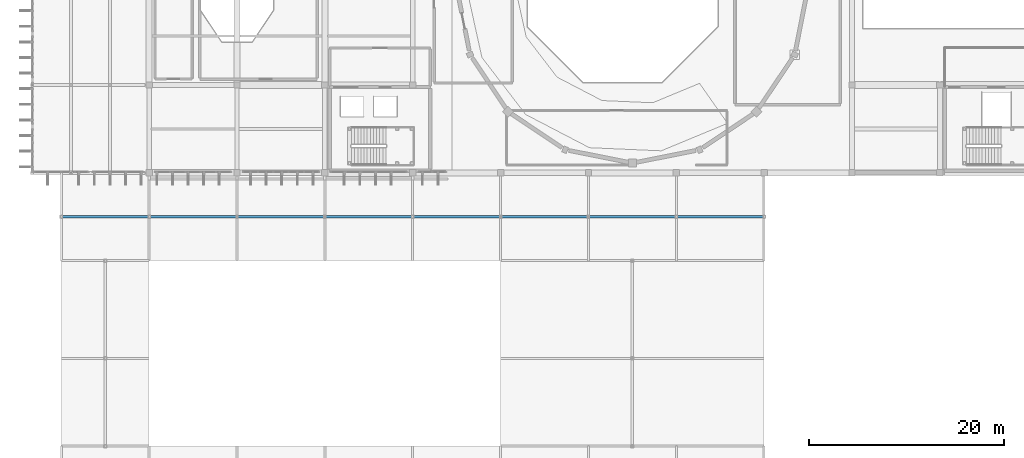
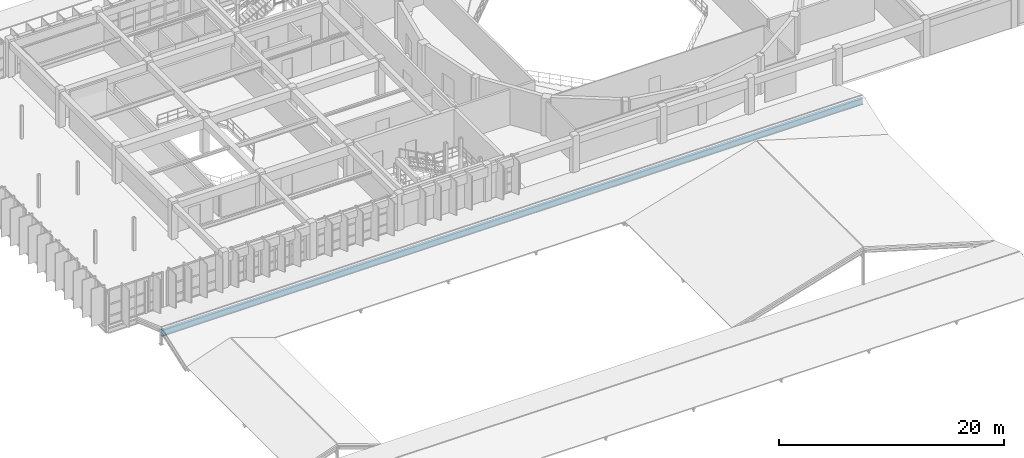
# One storey, part 12 of 80: 1 beam.
"""IFC4 building model written with IfcOpenShell, lengths in metres."""

from ifc_helpers import new_model, si_unit, direction, frame, origin, origin_2d, place, context, subcontext, project, spatial, i_section, extrude, material, material_profile, profile_set, type_object, element, save


model = new_model("IFC4")

# Units and contexts
model_context = context("Model", 3, precision=1e-05, world=origin(), true_north=direction((0.0, 1.0)))
body_context = subcontext(model_context, "Body", "Model", "MODEL_VIEW")
ifc_project = project(units=[si_unit("LENGTHUNIT", "METRE"), si_unit("AREAUNIT", "SQUARE_METRE"), si_unit("VOLUMEUNIT", "CUBIC_METRE"), si_unit("PLANEANGLEUNIT", "RADIAN"), si_unit("MASSUNIT", "GRAM", prefix="KILO")], contexts=[model_context])

# Site, building, storey
site_placement = place(None, origin())
site = spatial("IfcSite", under=ifc_project, at=site_placement, CompositionType="ELEMENT")
building_placement = place(site_placement, origin())
building = spatial("IfcBuilding", under=site, at=building_placement, Name="Miravela Opera House", CompositionType="ELEMENT")
storey_placement = place(building_placement, frame((0.0, 0.0, 17.679931640625)))
storey = spatial("IfcBuildingStorey", under=building, at=storey_placement, Name="L04", CompositionType="ELEMENT", Elevation=17.679931640625)

# Beam
ifc_material = material(Name="Structural steel ASTM A992 Gr. 50", Category="steel")
ifc_material_profile = material_profile(ifc_material, i_section(OverallWidth=0.256103515625, OverallDepth=0.693115234375, WebThickness=0.014404296875, FlangeThickness=0.023681640625, FilletRadius=0.01806640625, at=origin_2d()), Name="W690X170")
ifc_profile_set = profile_set([ifc_material_profile])
beam_type = type_object("IfcBeamType", Name="STR-BM-W690X170", PredefinedType="BEAM", material=ifc_profile_set)
beam_placement = place(storey_placement, frame((18.0, 32.5, 0.93359375), z_axis=(1.0, 0.0, 0.0), x_axis=(0.0, 1.0, 0.0)))
element("IfcBeam", 1, at=beam_placement, inside=storey, type_object=beam_type, Name="Clay Tile Roof Ridge Beam ROOF-V4-WEST-N", PredefinedType="BEAM", context=body_context, shape_type="SweptSolid", body=[
    extrude(i_section(OverallWidth=0.256103515625, OverallDepth=0.693115234375, WebThickness=0.014404296875, FlangeThickness=0.023681640625, FilletRadius=0.01806640625, at=origin_2d()), origin(), (0.0, 0.0, 1.0), 72.0),
])

save(model, "model.ifc")
